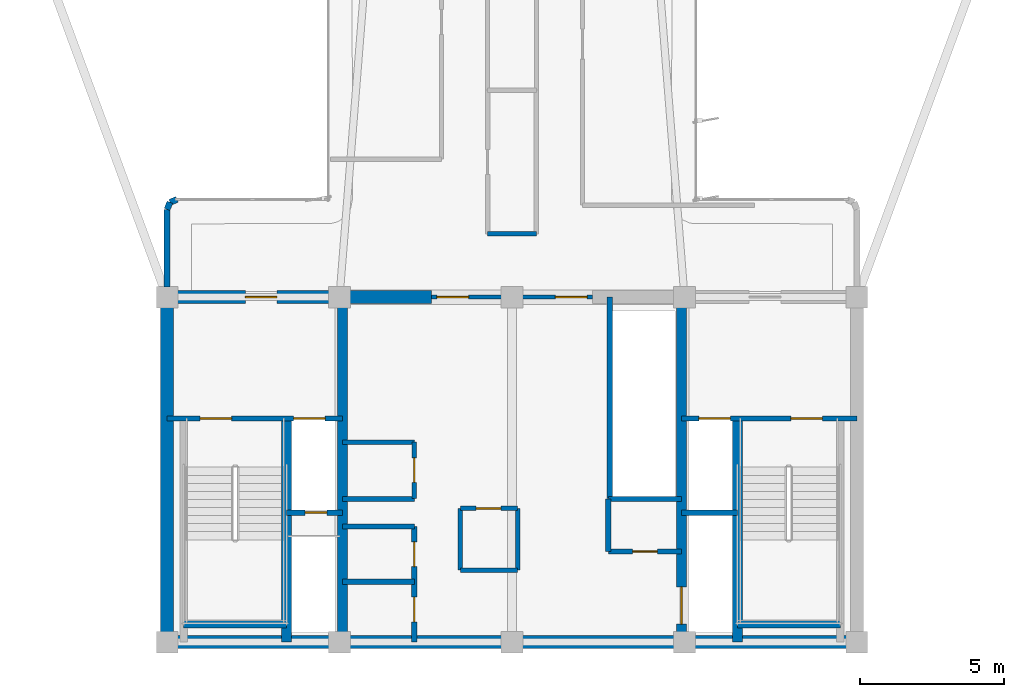
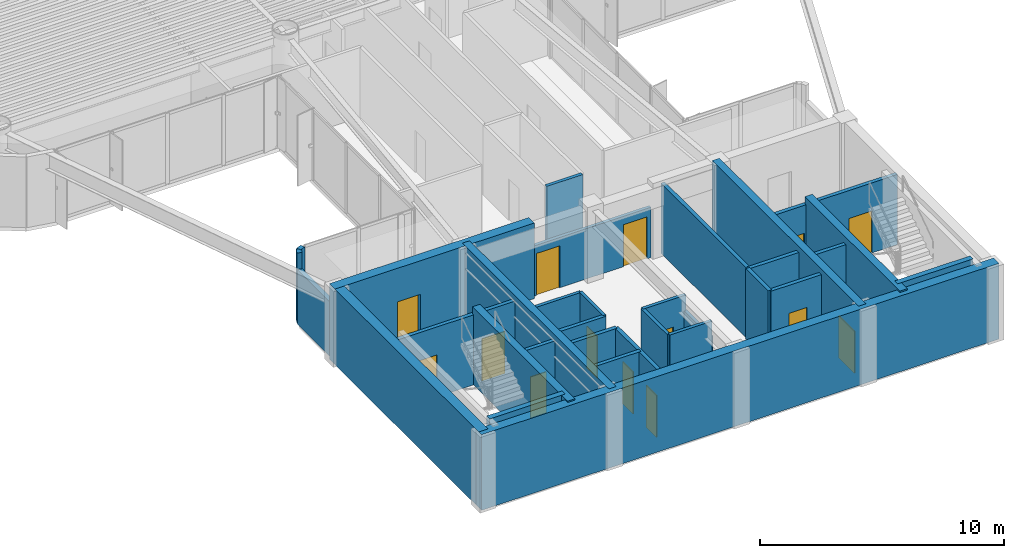
# One storey, part 9 of 15: 32 walls, 14 doors, 14 openings.
"""IFC4 building model written with IfcOpenShell, lengths in metres."""

from ifc_helpers import new_model, si_unit, direction, frame, frame_2d, origin, origin_2d, place, context, subcontext, project, spatial, rectangle, extrude, source, transform, mapped, material, layer, layer_set, type_object, element, fill, save


model = new_model("IFC4")

# Units and contexts
model_context = context("Model", 3, precision=1e-05, world=origin(), true_north=direction((0.0, 1.0)))
body_context = subcontext(model_context, "Body", "Model", "MODEL_VIEW")
ifc_project = project(units=[si_unit("LENGTHUNIT", "METRE"), si_unit("AREAUNIT", "SQUARE_METRE"), si_unit("VOLUMEUNIT", "CUBIC_METRE"), si_unit("PLANEANGLEUNIT", "RADIAN"), si_unit("MASSUNIT", "GRAM", prefix="KILO")], contexts=[model_context])

# Site, building, storey
site_placement = place(None, origin())
site = spatial("IfcSite", under=ifc_project, at=site_placement, CompositionType="ELEMENT")
building_placement = place(site_placement, origin())
building = spatial("IfcBuilding", under=site, at=building_placement, Name="Brelvock Crest Care Tower", CompositionType="ELEMENT")
storey_placement = place(building_placement, frame((0.0, 0.0, 167.760009765625)))
storey = spatial("IfcBuildingStorey", under=building, at=storey_placement, Name="L42", CompositionType="ELEMENT", Elevation=167.760009765625)

# Walls
ifc_material_1 = material(Name="Concrete S65 (65 MPa)", Category="concrete")
ifc_layer_1 = layer(ifc_material_1, 0.449951171875, Name="WL-CS3")
ifc_layer_set_1 = layer_set([ifc_layer_1], Name="Concrete S65 (65 MPa)")
wall_type_1 = type_object("IfcWallType", Name="WL-CS3", PredefinedType="SHEAR", material=ifc_layer_set_1)
wall_1_placement = place(storey_placement, frame((48.22509765625, 6.0, 0.0), z_axis=(0.0, 0.0, 1.0), x_axis=(-1.0, 0.0, 0.0)))
element("IfcWall", 1, at=wall_1_placement, inside=storey, type_object=wall_type_1, Name="L42 Core South Shear Wall", PredefinedType="SHEAR", context=body_context, shape_type="SweptSolid", body=[
    extrude(rectangle(XDim=24.4501953125, YDim=0.449951171875, at=frame_2d((12.22509765625, 0.0))), origin(), (0.0, 0.0, 1.0), 3.780029296875),
])
wall_2_placement = place(storey_placement, frame((24.0, 6.0, 0.0), z_axis=(0.0, 0.0, 1.0), x_axis=(0.0, 1.0, 0.0)))
element("IfcWall", 2, at=wall_2_placement, inside=storey, type_object=wall_type_1, Name="L42 Core West Shear Wall", PredefinedType="SHEAR", context=body_context, shape_type="SweptSolid", body=[
    extrude(rectangle(XDim=12.0, YDim=0.449951171875, at=frame_2d((6.0, 0.0))), origin(), (0.0, 0.0, 1.0), 3.780029296875),
])

# Wall, opening, door
wall_3_placement = place(storey_placement, frame((23.77490234375, 18.0, 0.0), z_axis=(0.0, 0.0, 1.0), x_axis=(1.0, 0.0, 0.0)))
wall_3 = element("IfcWall", 3, at=wall_3_placement, inside=storey, type_object=wall_type_1, Name="L42 Core North-West Shear Wall", PredefinedType="SHEAR", context=body_context, shape_type="SweptSolid", body=[
    extrude(rectangle(XDim=9.425048828125, YDim=0.449951171875, at=frame_2d((4.71240234375, 0.0))), origin(), (0.0, 0.0, 1.0), 3.780029296875),
])
opening_1_placement = place(wall_3_placement, frame((2.949951171875, 0.0, 0.0)))
opening_1 = element("IfcOpeningElement", 4, at=opening_1_placement, cuts=wall_3, Name="Opening FD-1", PredefinedType="OPENING", context=body_context, shape_type="SweptSolid", body=[
    extrude(rectangle(XDim=1.10009765625, YDim=2.10009765625, at=origin_2d()), frame((0.550048828125, 0.23486328125, 1.050048828125), z_axis=(0.0, -1.0, 0.0), x_axis=(1.0, 0.0, 0.0)), (0.0, 0.0, 1.0), 0.469970703125),
])
ifc_material_2 = material(Name="Steel Grade 350", Category="steel")
door_type_1 = type_object("IfcDoorType", Name="DR-FFL1", OperationType="NOTDEFINED", PredefinedType="DOOR", material=ifc_material_2)
shared_shape_1 = source(origin(), body_context, "Body", "SweptSolid", [
    extrude(rectangle(XDim=1.10009765625, YDim=2.10009765625, at=origin_2d()), frame((0.550048828125, 0.02490234375, 1.050048828125), z_axis=(0.0, -1.0, 0.0), x_axis=(1.0, 0.0, 0.0)), (0.0, 0.0, 1.0), 0.050048828125),
])
door_1_placement = place(opening_1_placement, origin())
door_1 = element("IfcDoor", 5, at=door_1_placement, inside=storey, type_object=door_type_1, Name="L42 Firefighting Lobby FFL-1 Exit Door", OperationType="SINGLE_SWING_LEFT", OverallHeight=2.10009765625, OverallWidth=1.10009765625, PredefinedType="DOOR", context=body_context, shape_type="MappedRepresentation", body=[
    mapped(shared_shape_1, transform((0.0, 0.0, 0.0), x_axis=(1.0, 0.0, 0.0), y_axis=(0.0, 1.0, 0.0), z_axis=(0.0, 0.0, 1.0), scale=1.0)),
])
fill(opening_1, door_1)

# Wall
ifc_material_3 = material(Name="Concrete S80 (80 MPa)", Category="concrete")
ifc_layer_2 = layer(ifc_material_3, 0.35009765625, Name="WL-CS5")
ifc_layer_set_2 = layer_set([ifc_layer_2], Name="Concrete S80 (80 MPa)")
wall_type_2 = type_object("IfcWallType", Name="WL-CS5", PredefinedType="SHEAR", material=ifc_layer_set_2)
wall_4_placement = place(storey_placement, frame((30.10009765625, 6.0, 0.0), z_axis=(0.0, 0.0, 1.0), x_axis=(0.0, 1.0, 0.0)))
element("IfcWall", 6, at=wall_4_placement, inside=storey, type_object=wall_type_2, Name="L42 Core Internal Web Wall West", PredefinedType="SHEAR", context=body_context, shape_type="SweptSolid", body=[
    extrude(rectangle(XDim=12.0, YDim=0.35009765625, at=frame_2d((6.0, 0.0))), origin(), (0.0, 0.0, 1.0), 3.780029296875),
])

# Wall, opening, door
wall_5_placement = place(storey_placement, frame((41.89990234375, 18.0, 0.0), z_axis=(0.0, 0.0, 1.0), x_axis=(0.0, -1.0, 0.0)))
wall_5 = element("IfcWall", 7, at=wall_5_placement, inside=storey, type_object=wall_type_2, Name="L42 Core Internal Web Wall East", PredefinedType="SHEAR", context=body_context, shape_type="SweptSolid", body=[
    extrude(rectangle(XDim=12.0, YDim=0.35009765625, at=frame_2d((6.0, 0.0))), origin(), (0.0, 0.0, 1.0), 3.780029296875),
])
opening_2_placement = place(wall_5_placement, frame((10.080078125, 0.0, 0.0)))
opening_2 = element("IfcOpeningElement", 8, at=opening_2_placement, cuts=wall_5, Name="Opening LD-S", PredefinedType="OPENING", context=body_context, shape_type="SweptSolid", body=[
    extrude(rectangle(XDim=1.300048828125, YDim=2.10009765625, at=origin_2d()), frame((0.64990234375, 0.18505859375, 1.050048828125), z_axis=(0.0, -1.0, 0.0), x_axis=(1.0, 0.0, 0.0)), (0.0, 0.0, 1.0), 0.3701171875),
])
door_type_2 = type_object("IfcDoorType", Name="DR-LDS1", OperationType="NOTDEFINED", PredefinedType="DOOR", material=ifc_material_2)
shared_shape_2 = source(origin(), body_context, "Body", "SweptSolid", [
    extrude(rectangle(XDim=1.300048828125, YDim=2.10009765625, at=origin_2d()), frame((0.64990234375, 0.02490234375, 1.050048828125), z_axis=(0.0, -1.0, 0.0), x_axis=(1.0, 0.0, 0.0)), (0.0, 0.0, 1.0), 0.050048828125),
])
door_2_placement = place(opening_2_placement, origin())
door_2 = element("IfcDoor", 9, at=door_2_placement, inside=storey, type_object=door_type_2, Name="L42 Clinical Bed Lift SL-1 Landing Door", OperationType="SLIDING_TO_LEFT", OverallHeight=2.10009765625, OverallWidth=1.300048828125, PredefinedType="DOOR", context=body_context, shape_type="MappedRepresentation", body=[
    mapped(shared_shape_2, transform((0.0, 0.0, 0.0), x_axis=(1.0, 0.0, 0.0), y_axis=(0.0, 1.0, 0.0), z_axis=(0.0, 0.0, 1.0), scale=1.0)),
])
fill(opening_2, door_2)

# Walls
for number, where, z_axis, x_axis, name in (
    (10, (28.14990234375, 6.0, 0.0), (0.0, 0.0, 1.0), (0.0, 1.0, 0.0), "L42 Core Stair ST-1 East Shear Wall"),
    (11, (43.85009765625, 6.0, 0.0), (0.0, 0.0, 1.0), (0.0, 1.0, 0.0), "L42 Core Stair ST-2 West Shear Wall"),
):
    element("IfcWall", number, at=place(storey_placement, frame(where, z_axis=z_axis, x_axis=x_axis)), inside=storey, type_object=wall_type_2, Name=name, PredefinedType="SHEAR", context=body_context, shape_type="SweptSolid", body=[
        extrude(rectangle(XDim=7.780029296875, YDim=0.35009765625, at=frame_2d((3.89013671875, 0.0))), origin(), (0.0, 0.0, 1.0), 3.85009765625),
    ])
ifc_layer_3 = layer(ifc_material_3, 0.25, Name="WL-CS6")
ifc_layer_set_3 = layer_set([ifc_layer_3], Name="Concrete S80 (80 MPa)")
wall_type_3 = type_object("IfcWallType", Name="WL-CS6", PredefinedType="SHEAR", material=ifc_layer_set_3)
for number, where, z_axis, x_axis, name in (
    (12, (24.580078125, 6.6201171875, 0.0), (0.0, 0.0, 1.0), (1.0, 0.0, 0.0), "L42 Core Stair ST-1 South Shear Wall"),
    (13, (43.85009765625, 6.6201171875, 0.0), (0.0, 0.0, 1.0), (1.0, 0.0, 0.0), "L42 Core Stair ST-2 South Shear Wall"),
):
    element("IfcWall", number, at=place(storey_placement, frame(where, z_axis=z_axis, x_axis=x_axis)), inside=storey, type_object=wall_type_3, Name=name, PredefinedType="SHEAR", context=body_context, shape_type="SweptSolid", body=[
        extrude(rectangle(XDim=3.56982421875, YDim=0.25, at=frame_2d((1.784912109375, 0.0))), origin(), (0.0, 0.0, 1.0), 3.85009765625),
    ])
ifc_material_4 = material(Name="Precast concrete N40 (40 MPa)", Category="concrete")
ifc_layer_4 = layer(ifc_material_4, 0.215087890625, Name="WL-EX2")
ifc_layer_set_4 = layer_set([ifc_layer_4], Name="Precast concrete N40 (40 MPa)")
wall_type_4 = type_object("IfcWallType", Name="WL-EX2", PredefinedType="SOLIDWALL", material=ifc_layer_set_4)
wall_6_placement = place(storey_placement, frame((24.0, 18.35498046875, 0.0), z_axis=(0.0, 0.0, 1.0), x_axis=(0.0, 1.0, 0.0)))
element("IfcWall", 14, at=wall_6_placement, inside=storey, type_object=wall_type_4, Name="L42 Rounded Corner Wall 07", PredefinedType="SOLIDWALL", context=body_context, shape_type="SweptSolid", body=[
    extrude(rectangle(XDim=2.695068359375, YDim=0.215087890625, at=frame_2d((1.34765625, 0.0))), origin(), (0.0, 0.0, 1.0), 2.718017578125),
])
wall_7_placement = place(storey_placement, frame((24.0, 21.050048828125, 0.0), z_axis=(0.0, 0.0, 1.0), x_axis=(0.382673670509, 0.923883575944, 0.0)))
element("IfcWall", 15, at=wall_7_placement, inside=storey, type_object=wall_type_4, Name="L42 Rounded Corner Wall 08", PredefinedType="SOLIDWALL", context=body_context, shape_type="SweptSolid", body=[
    extrude(rectangle(XDim=0.26806640625, YDim=0.215087890625, at=frame_2d((0.134033203125, 0.0))), origin(), (0.0, 0.0, 1.0), 3.530029296875),
])
wall_8_placement = place(storey_placement, frame((24.1025390625, 21.297607421875, 0.0), z_axis=(0.0, 0.0, 1.0), x_axis=(0.924205486139, 0.381895560841, 0.0)))
element("IfcWall", 16, at=wall_8_placement, inside=storey, type_object=wall_type_4, Name="L42 Rounded Corner Wall 09", PredefinedType="SOLIDWALL", context=body_context, shape_type="SweptSolid", body=[
    extrude(rectangle(XDim=0.267822265625, YDim=0.215087890625, at=frame_2d((0.1337890625, 0.0))), origin(), (0.0, 0.0, 1.0), 3.530029296875),
])
ifc_material_5 = material(Name="Masonry Blockwork Acoustic Partition", Category="masonry")
ifc_layer_5 = layer(ifc_material_5, 0.14990234375, Name="WL-INT1")
ifc_layer_set_5 = layer_set([ifc_layer_5], Name="Masonry Blockwork Acoustic Partition")
wall_type_5 = type_object("IfcWallType", Name="WL-INT1", PredefinedType="PARTITIONING", material=ifc_layer_set_5)
wall_9_placement = place(storey_placement, frame((30.10009765625, 12.949951171875, 0.0), z_axis=(0.0, 0.0, 1.0), x_axis=(1.0, 0.0, 0.0)))
element("IfcWall", 17, at=wall_9_placement, inside=storey, type_object=wall_type_5, Name="L42 Interior Wall WL-CRCL-N2-L42", PredefinedType="PARTITIONING", context=body_context, shape_type="SweptSolid", body=[
    extrude(rectangle(XDim=2.5, YDim=0.14990234375, at=frame_2d((1.25, 0.0))), origin(), (0.0, 0.0, 1.0), 3.5),
])

# Wall, opening, door
wall_10_placement = place(storey_placement, frame((32.60009765625, 11.0, 0.0), z_axis=(0.0, 0.0, 1.0), x_axis=(0.0, 1.0, 0.0)))
wall_10 = element("IfcWall", 18, at=wall_10_placement, inside=storey, type_object=wall_type_5, Name="L42 Interior Wall WL-CRCL-E-L42", PredefinedType="PARTITIONING", context=body_context, shape_type="SweptSolid", body=[
    extrude(rectangle(XDim=1.949951171875, YDim=0.14990234375, at=frame_2d((0.97509765625, 0.0))), origin(), (0.0, 0.0, 1.0), 3.5),
])
opening_3_placement = place(wall_10_placement, frame((0.550048828125, 0.0, 0.0)))
opening_3 = element("IfcOpeningElement", 19, at=opening_3_placement, cuts=wall_10, Name="Opening ID-1", PredefinedType="OPENING", context=body_context, shape_type="SweptSolid", body=[
    extrude(rectangle(XDim=0.860107421875, YDim=2.10009765625, at=origin_2d()), frame((0.43017578125, 0.0849609375, 1.050048828125), z_axis=(0.0, -1.0, 0.0), x_axis=(1.0, 0.0, 0.0)), (0.0, 0.0, 1.0), 0.169921875),
])
ifc_material_6 = material(Name="Engineered Hardwood Timber", Category="wood")
door_type_3 = type_object("IfcDoorType", Name="DR-INT1", OperationType="NOTDEFINED", PredefinedType="DOOR", material=ifc_material_6)
shared_shape_3 = source(origin(), body_context, "Body", "SweptSolid", [
    extrude(rectangle(XDim=0.860107421875, YDim=2.10009765625, at=origin_2d()), frame((0.43017578125, 0.02490234375, 1.050048828125), z_axis=(0.0, -1.0, 0.0), x_axis=(1.0, 0.0, 0.0)), (0.0, 0.0, 1.0), 0.050048828125),
])
door_3_placement = place(opening_3_placement, origin())
door_3 = element("IfcDoor", 20, at=door_3_placement, inside=storey, type_object=door_type_3, Name="DR-CRCL1-L42", OperationType="SINGLE_SWING_LEFT", OverallHeight=2.10009765625, OverallWidth=0.860107421875, PredefinedType="DOOR", context=body_context, shape_type="MappedRepresentation", body=[
    mapped(shared_shape_3, transform((0.0, 0.0, 0.0), x_axis=(1.0, 0.0, 0.0), y_axis=(0.0, 1.0, 0.0), z_axis=(0.0, 0.0, 1.0), scale=1.0)),
])
fill(opening_3, door_3)

# Walls
wall_11_placement = place(storey_placement, frame((34.199951171875, 8.5, 0.0), z_axis=(0.0, 0.0, 1.0), x_axis=(1.0, 0.0, 0.0)))
element("IfcWall", 21, at=wall_11_placement, inside=storey, type_object=wall_type_5, Name="L42 Interior Wall WL-CRCM-S-L42", PredefinedType="PARTITIONING", context=body_context, shape_type="SweptSolid", body=[
    extrude(rectangle(XDim=2.0, YDim=0.14990234375, at=frame_2d((1.0, 0.0))), origin(), (0.0, 0.0, 1.0), 3.5),
])
wall_12_placement = place(storey_placement, frame((34.199951171875, 8.5, 0.0), z_axis=(0.0, 0.0, 1.0), x_axis=(0.0, 1.0, 0.0)))
element("IfcWall", 22, at=wall_12_placement, inside=storey, type_object=wall_type_5, Name="L42 Interior Wall WL-CRCM-W-L42", PredefinedType="PARTITIONING", context=body_context, shape_type="SweptSolid", body=[
    extrude(rectangle(XDim=2.14990234375, YDim=0.14990234375, at=frame_2d((1.074951171875, 0.0))), origin(), (0.0, 0.0, 1.0), 3.5),
])
wall_13_placement = place(storey_placement, frame((36.199951171875, 8.5, 0.0), z_axis=(0.0, 0.0, 1.0), x_axis=(0.0, 1.0, 0.0)))
element("IfcWall", 23, at=wall_13_placement, inside=storey, type_object=wall_type_5, Name="L42 Interior Wall WL-CRCM-E-L42", PredefinedType="PARTITIONING", context=body_context, shape_type="SweptSolid", body=[
    extrude(rectangle(XDim=2.14990234375, YDim=0.14990234375, at=frame_2d((1.074951171875, 0.0))), origin(), (0.0, 0.0, 1.0), 2.715087890625),
])

# Wall, opening, door
wall_14_placement = place(storey_placement, frame((34.199951171875, 10.64990234375, 0.0), z_axis=(0.0, 0.0, 1.0), x_axis=(1.0, 0.0, 0.0)))
wall_14 = element("IfcWall", 24, at=wall_14_placement, inside=storey, type_object=wall_type_5, Name="L42 Interior Wall WL-CRCM-N-L42", PredefinedType="PARTITIONING", context=body_context, shape_type="SweptSolid", body=[
    extrude(rectangle(XDim=2.0, YDim=0.14990234375, at=frame_2d((1.0, 0.0))), origin(), (0.0, 0.0, 1.0), 3.5),
])
opening_4_placement = place(wall_14_placement, frame((0.550048828125, 0.0, 0.0)))
opening_4 = element("IfcOpeningElement", 25, at=opening_4_placement, cuts=wall_14, Name="Opening ID-1", PredefinedType="OPENING", context=body_context, shape_type="SweptSolid", body=[
    extrude(rectangle(XDim=0.860107421875, YDim=2.10009765625, at=origin_2d()), frame((0.43017578125, 0.0849609375, 1.050048828125), z_axis=(0.0, -1.0, 0.0), x_axis=(1.0, 0.0, 0.0)), (0.0, 0.0, 1.0), 0.169921875),
])
door_4_placement = place(opening_4_placement, origin())
door_4 = element("IfcDoor", 26, at=door_4_placement, inside=storey, type_object=door_type_3, Name="DR-CRCM1-L42", OperationType="SINGLE_SWING_LEFT", OverallHeight=2.10009765625, OverallWidth=0.860107421875, PredefinedType="DOOR", context=body_context, shape_type="MappedRepresentation", body=[
    mapped(shared_shape_3, transform((0.0, 0.0, 0.0), x_axis=(1.0, 0.0, 0.0), y_axis=(0.0, 1.0, 0.0), z_axis=(0.0, 0.0, 1.0), scale=1.0)),
])
fill(opening_4, door_4)

# Wall, openings, doors
wall_15_placement = place(storey_placement, frame((33.199951171875, 18.0, 0.0), z_axis=(0.0, 0.0, 1.0), x_axis=(1.0, 0.0, 0.0)))
wall_15 = element("IfcWall", 27, at=wall_15_placement, inside=storey, type_object=wall_type_5, Name="L42 Interior Wall WL-CORE-NPORT-L42", PredefinedType="PARTITIONING", context=body_context, shape_type="SweptSolid", body=[
    extrude(rectangle(XDim=5.60009765625, YDim=0.14990234375, at=frame_2d((2.800048828125, 0.0))), origin(), (0.0, 0.0, 1.0), 2.514892578125),
])
opening_5_placement = place(wall_15_placement, frame((0.18994140625, 0.0, 0.0)))
opening_5 = element("IfcOpeningElement", 28, at=opening_5_placement, cuts=wall_15, Name="Opening FD-1", PredefinedType="OPENING", context=body_context, shape_type="SweptSolid", body=[
    extrude(rectangle(XDim=1.10009765625, YDim=2.10009765625, at=origin_2d()), frame((0.550048828125, 0.0849609375, 1.050048828125), z_axis=(0.0, -1.0, 0.0), x_axis=(1.0, 0.0, 0.0)), (0.0, 0.0, 1.0), 0.169921875),
])
opening_6_placement = place(wall_15_placement, frame((4.31005859375, 0.0, 0.0)))
opening_6 = element("IfcOpeningElement", 29, at=opening_6_placement, cuts=wall_15, Name="Opening FD-1", PredefinedType="OPENING", context=body_context, shape_type="SweptSolid", body=[
    extrude(rectangle(XDim=1.10009765625, YDim=2.10009765625, at=origin_2d()), frame((0.550048828125, 0.0849609375, 1.050048828125), z_axis=(0.0, -1.0, 0.0), x_axis=(1.0, 0.0, 0.0)), (0.0, 0.0, 1.0), 0.169921875),
])
door_5_placement = place(opening_5_placement, origin())
door_5 = element("IfcDoor", 30, at=door_5_placement, inside=storey, type_object=door_type_1, Name="L42 Lift Lobby North Smoke Door West", OperationType="SINGLE_SWING_LEFT", OverallHeight=2.10009765625, OverallWidth=1.10009765625, PredefinedType="DOOR", context=body_context, shape_type="MappedRepresentation", body=[
    mapped(shared_shape_1, transform((0.0, 0.0, 0.0), x_axis=(1.0, 0.0, 0.0), y_axis=(0.0, 1.0, 0.0), z_axis=(0.0, 0.0, 1.0), scale=1.0)),
])
fill(opening_5, door_5)
door_6_placement = place(opening_6_placement, origin())
door_6 = element("IfcDoor", 31, at=door_6_placement, inside=storey, type_object=door_type_1, Name="L42 Lift Lobby North Smoke Door East", OperationType="SINGLE_SWING_RIGHT", OverallHeight=2.10009765625, OverallWidth=1.10009765625, PredefinedType="DOOR", context=body_context, shape_type="MappedRepresentation", body=[
    mapped(shared_shape_1, transform((0.0, 0.0, 0.0), x_axis=(1.0, 0.0, 0.0), y_axis=(0.0, 1.0, 0.0), z_axis=(0.0, 0.0, 1.0), scale=1.0)),
])
fill(opening_6, door_6)

# Walls
ifc_material_7 = material(Name="Gypsum Plasterboard Partition", Category="gypsum")
ifc_layer_6 = layer(ifc_material_7, 0.159912109375, Name="WL-PLM1")
ifc_layer_set_6 = layer_set([ifc_layer_6], Name="Gypsum Plasterboard Partition")
wall_type_6 = type_object("IfcWallType", Name="WL-PLM1", PredefinedType="PLUMBINGWALL", material=ifc_layer_set_6)
wall_16_placement = place(storey_placement, frame((35.14990234375, 20.199951171875, 0.0), z_axis=(0.0, 0.0, 1.0), x_axis=(1.0, 0.0, 0.0)))
element("IfcWall", 32, at=wall_16_placement, inside=storey, type_object=wall_type_6, Name="L42 Interior Wall WL-BX-L42-ISWC-S", PredefinedType="PLUMBINGWALL", context=body_context, shape_type="SweptSolid", body=[
    extrude(rectangle(XDim=1.7001953125, YDim=0.159912109375, at=frame_2d((0.85009765625, 0.0))), origin(), (0.0, 0.0, 1.0), 3.5),
])
ifc_layer_7 = layer(ifc_material_5, 0.179931640625, Name="WL-SHF1")
ifc_layer_set_7 = layer_set([ifc_layer_7], Name="Masonry Blockwork Acoustic Partition")
wall_type_7 = type_object("IfcWallType", Name="WL-SHF1", PredefinedType="PARTITIONING", material=ifc_layer_set_7)
wall_17_placement = place(storey_placement, frame((39.39990234375, 11.0, 0.0), z_axis=(0.0, 0.0, 1.0), x_axis=(0.0, 1.0, 0.0)))
element("IfcWall", 33, at=wall_17_placement, inside=storey, type_object=wall_type_7, Name="L42 Interior Wall WL-PLH-SHF-L42", PredefinedType="PARTITIONING", context=body_context, shape_type="SweptSolid", body=[
    extrude(rectangle(XDim=7.0, YDim=0.179931640625, at=frame_2d((3.5, 0.0))), origin(), (0.0, 0.0, 1.0), 3.5),
])
wall_18_placement = place(storey_placement, frame((30.10009765625, 10.97998046875, 0.0), z_axis=(0.0, 0.0, 1.0), x_axis=(1.0, 0.0, 0.0)))
element("IfcWall", 34, at=wall_18_placement, inside=storey, type_object=wall_type_7, Name="L42 Interior Wall WL-CSBW-N-L42", PredefinedType="PARTITIONING", context=body_context, shape_type="SweptSolid", body=[
    extrude(rectangle(XDim=2.5, YDim=0.179931640625, at=frame_2d((1.25, 0.0))), origin(), (0.0, 0.0, 1.0), 3.5),
])
wall_19_placement = place(storey_placement, frame((39.35009765625, 10.97998046875, 0.0), z_axis=(0.0, 0.0, 1.0), x_axis=(1.0, 0.0, 0.0)))
element("IfcWall", 35, at=wall_19_placement, inside=storey, type_object=wall_type_7, Name="L42 Interior Wall WL-CSBE-N-L42", PredefinedType="PARTITIONING", context=body_context, shape_type="SweptSolid", body=[
    extrude(rectangle(XDim=2.5498046875, YDim=0.179931640625, at=frame_2d((1.27490234375, 0.0))), origin(), (0.0, 0.0, 1.0), 3.5),
])
for number, where, z_axis, x_axis, name in (
    (36, (30.10009765625, 8.10009765625, 0.0), (0.0, 0.0, 1.0), (1.0, 0.0, 0.0), "L42 Interior Wall WL-CSBW-SP-L42"),
    (37, (30.10009765625, 10.02001953125, 0.0), (0.0, 0.0, 1.0), (1.0, 0.0, 0.0), "L42 Interior Wall WL-CSBW-N2-L42"),
):
    element("IfcWall", number, at=place(storey_placement, frame(where, z_axis=z_axis, x_axis=x_axis)), inside=storey, type_object=wall_type_7, Name=name, PredefinedType="PARTITIONING", context=body_context, shape_type="SweptSolid", body=[
        extrude(rectangle(XDim=2.5, YDim=0.179931640625, at=frame_2d((1.25, 0.0))), origin(), (0.0, 0.0, 1.0), 3.5),
    ])

# Wall, openings, doors
wall_20_placement = place(storey_placement, frame((32.60009765625, 6.0, 0.0), z_axis=(0.0, 0.0, 1.0), x_axis=(0.0, 1.0, 0.0)))
wall_20 = element("IfcWall", 38, at=wall_20_placement, inside=storey, type_object=wall_type_7, Name="L42 Interior Wall WL-CSBW-E-L42", PredefinedType="PARTITIONING", context=body_context, shape_type="SweptSolid", body=[
    extrude(rectangle(XDim=4.02001953125, YDim=0.179931640625, at=frame_2d((2.010009765625, 0.0))), origin(), (0.0, 0.0, 1.0), 3.5),
])
opening_7_placement = place(wall_20_placement, frame((0.699951171875, 0.0, 0.0)))
opening_7 = element("IfcOpeningElement", 39, at=opening_7_placement, cuts=wall_20, Name="Opening ID-1", PredefinedType="OPENING", context=body_context, shape_type="SweptSolid", body=[
    extrude(rectangle(XDim=0.860107421875, YDim=2.10009765625, at=origin_2d()), frame((0.43017578125, 0.10009765625, 1.050048828125), z_axis=(0.0, -1.0, 0.0), x_axis=(1.0, 0.0, 0.0)), (0.0, 0.0, 1.0), 0.199951171875),
])
opening_8_placement = place(wall_20_placement, frame((2.6201171875, 0.0, 0.0)))
opening_8 = element("IfcOpeningElement", 40, at=opening_8_placement, cuts=wall_20, Name="Opening ID-1", PredefinedType="OPENING", context=body_context, shape_type="SweptSolid", body=[
    extrude(rectangle(XDim=0.860107421875, YDim=2.10009765625, at=origin_2d()), frame((0.43017578125, 0.10009765625, 1.050048828125), z_axis=(0.0, -1.0, 0.0), x_axis=(1.0, 0.0, 0.0)), (0.0, 0.0, 1.0), 0.199951171875),
])
door_7_placement = place(opening_7_placement, origin())
door_7 = element("IfcDoor", 41, at=door_7_placement, inside=storey, type_object=door_type_3, Name="DR-CSBW1-L42", OperationType="SINGLE_SWING_LEFT", OverallHeight=2.10009765625, OverallWidth=0.860107421875, PredefinedType="DOOR", context=body_context, shape_type="MappedRepresentation", body=[
    mapped(shared_shape_3, transform((0.0, 0.0, 0.0), x_axis=(1.0, 0.0, 0.0), y_axis=(0.0, 1.0, 0.0), z_axis=(0.0, 0.0, 1.0), scale=1.0)),
])
fill(opening_7, door_7)
door_8_placement = place(opening_8_placement, origin())
door_8 = element("IfcDoor", 42, at=door_8_placement, inside=storey, type_object=door_type_3, Name="DR-CSBW2-L42", OperationType="SINGLE_SWING_RIGHT", OverallHeight=2.10009765625, OverallWidth=0.860107421875, PredefinedType="DOOR", context=body_context, shape_type="MappedRepresentation", body=[
    mapped(shared_shape_3, transform((0.0, 0.0, 0.0), x_axis=(1.0, 0.0, 0.0), y_axis=(0.0, 1.0, 0.0), z_axis=(0.0, 0.0, 1.0), scale=1.0)),
])
fill(opening_8, door_8)

# Wall
wall_21_placement = place(storey_placement, frame((39.35009765625, 9.14990234375, 0.0), z_axis=(0.0, 0.0, 1.0), x_axis=(0.0, 1.0, 0.0)))
element("IfcWall", 43, at=wall_21_placement, inside=storey, type_object=wall_type_7, Name="L42 Interior Wall WL-CSBE-W-L42", PredefinedType="PARTITIONING", context=body_context, shape_type="SweptSolid", body=[
    extrude(rectangle(XDim=1.830078125, YDim=0.179931640625, at=frame_2d((0.9150390625, 0.0))), origin(), (0.0, 0.0, 1.0), 3.5),
])

# Wall, opening, door
wall_22_placement = place(storey_placement, frame((39.35009765625, 9.14990234375, 0.0), z_axis=(0.0, 0.0, 1.0), x_axis=(1.0, 0.0, 0.0)))
wall_22 = element("IfcWall", 44, at=wall_22_placement, inside=storey, type_object=wall_type_7, Name="L42 Interior Wall WL-CSBE-S-L42", PredefinedType="PARTITIONING", context=body_context, shape_type="SweptSolid", body=[
    extrude(rectangle(XDim=2.5498046875, YDim=0.179931640625, at=frame_2d((1.27490234375, 0.0))), origin(), (0.0, 0.0, 1.0), 3.5),
])
opening_9_placement = place(wall_22_placement, frame((0.85009765625, 0.0, 0.0)))
opening_9 = element("IfcOpeningElement", 45, at=opening_9_placement, cuts=wall_22, Name="Opening ID-1", PredefinedType="OPENING", context=body_context, shape_type="SweptSolid", body=[
    extrude(rectangle(XDim=0.860107421875, YDim=2.10009765625, at=origin_2d()), frame((0.43017578125, 0.10009765625, 1.050048828125), z_axis=(0.0, -1.0, 0.0), x_axis=(1.0, 0.0, 0.0)), (0.0, 0.0, 1.0), 0.199951171875),
])
door_9_placement = place(opening_9_placement, origin())
door_9 = element("IfcDoor", 46, at=door_9_placement, inside=storey, type_object=door_type_3, Name="DR-CSBE-L42", OperationType="SINGLE_SWING_LEFT", OverallHeight=2.10009765625, OverallWidth=0.860107421875, PredefinedType="DOOR", context=body_context, shape_type="MappedRepresentation", body=[
    mapped(shared_shape_3, transform((0.0, 0.0, 0.0), x_axis=(1.0, 0.0, 0.0), y_axis=(0.0, 1.0, 0.0), z_axis=(0.0, 0.0, 1.0), scale=1.0)),
])
fill(opening_9, door_9)

# Wall, openings, doors
wall_23_placement = place(storey_placement, frame((24.0, 13.780029296875, 0.0), z_axis=(0.0, 0.0, 1.0), x_axis=(1.0, 0.0, 0.0)))
wall_23 = element("IfcWall", 47, at=wall_23_placement, inside=storey, type_object=wall_type_7, Name="L42 Interior Wall WL-ST1-N-L42", PredefinedType="PARTITIONING", context=body_context, shape_type="SweptSolid", body=[
    extrude(rectangle(XDim=6.10009765625, YDim=0.179931640625, at=frame_2d((3.050048828125, 0.0))), origin(), (0.0, 0.0, 1.0), 3.5),
])
opening_10_placement = place(wall_23_placement, frame((1.14990234375, 0.0, 0.0)))
opening_10 = element("IfcOpeningElement", 48, at=opening_10_placement, cuts=wall_23, Name="Opening SD-1", PredefinedType="OPENING", context=body_context, shape_type="SweptSolid", body=[
    extrude(rectangle(XDim=1.10009765625, YDim=2.10009765625, at=origin_2d()), frame((0.550048828125, 0.10009765625, 1.050048828125), z_axis=(0.0, -1.0, 0.0), x_axis=(1.0, 0.0, 0.0)), (0.0, 0.0, 1.0), 0.199951171875),
])
opening_11_placement = place(wall_23_placement, frame((4.39990234375, 0.0, 0.0)))
opening_11 = element("IfcOpeningElement", 49, at=opening_11_placement, cuts=wall_23, Name="Opening LD", PredefinedType="OPENING", context=body_context, shape_type="SweptSolid", body=[
    extrude(rectangle(XDim=1.10009765625, YDim=2.10009765625, at=origin_2d()), frame((0.550048828125, 0.10009765625, 1.050048828125), z_axis=(0.0, -1.0, 0.0), x_axis=(1.0, 0.0, 0.0)), (0.0, 0.0, 1.0), 0.199951171875),
])
door_type_4 = type_object("IfcDoorType", Name="DR-ST1", OperationType="NOTDEFINED", PredefinedType="DOOR", material=ifc_material_2)
shared_shape_4 = source(origin(), body_context, "Body", "SweptSolid", [
    extrude(rectangle(XDim=1.10009765625, YDim=2.10009765625, at=origin_2d()), frame((0.550048828125, 0.02490234375, 1.050048828125), z_axis=(0.0, -1.0, 0.0), x_axis=(1.0, 0.0, 0.0)), (0.0, 0.0, 1.0), 0.050048828125),
])
door_10_placement = place(opening_10_placement, origin())
door_10 = element("IfcDoor", 50, at=door_10_placement, inside=storey, type_object=door_type_4, Name="L42 Fire Stair ST-1 Door", OperationType="SINGLE_SWING_LEFT", OverallHeight=2.10009765625, OverallWidth=1.10009765625, PredefinedType="DOOR", context=body_context, shape_type="MappedRepresentation", body=[
    mapped(shared_shape_4, transform((0.0, 0.0, 0.0), x_axis=(1.0, 0.0, 0.0), y_axis=(0.0, 1.0, 0.0), z_axis=(0.0, 0.0, 1.0), scale=1.0)),
])
fill(opening_10, door_10)
door_type_5 = type_object("IfcDoorType", Name="DR-LD1", OperationType="NOTDEFINED", PredefinedType="DOOR", material=ifc_material_2)
shared_shape_5 = source(origin(), body_context, "Body", "SweptSolid", [
    extrude(rectangle(XDim=1.10009765625, YDim=2.10009765625, at=origin_2d()), frame((0.550048828125, 0.02490234375, 1.050048828125), z_axis=(0.0, -1.0, 0.0), x_axis=(1.0, 0.0, 0.0)), (0.0, 0.0, 1.0), 0.050048828125),
])
door_11_placement = place(opening_11_placement, origin())
door_11 = element("IfcDoor", 51, at=door_11_placement, inside=storey, type_object=door_type_5, Name="L42 Firefighting Lift FFL-1 Landing Door", OperationType="SLIDING_TO_LEFT", OverallHeight=2.10009765625, OverallWidth=1.10009765625, PredefinedType="DOOR", context=body_context, shape_type="MappedRepresentation", body=[
    mapped(shared_shape_5, transform((0.0, 0.0, 0.0), x_axis=(1.0, 0.0, 0.0), y_axis=(0.0, 1.0, 0.0), z_axis=(0.0, 0.0, 1.0), scale=1.0)),
])
fill(opening_11, door_11)

# Wall, opening, door
wall_24_placement = place(storey_placement, frame((28.14990234375, 10.5, 0.0), z_axis=(0.0, 0.0, 1.0), x_axis=(1.0, 0.0, 0.0)))
wall_24 = element("IfcWall", 52, at=wall_24_placement, inside=storey, type_object=wall_type_7, Name="L42 Interior Wall WL-FFH1-S-L42", PredefinedType="PARTITIONING", context=body_context, shape_type="SweptSolid", body=[
    extrude(rectangle(XDim=1.9501953125, YDim=0.179931640625, at=frame_2d((0.97509765625, 0.0))), origin(), (0.0, 0.0, 1.0), 3.5),
])
opening_12_placement = place(wall_24_placement, frame((0.64990234375, 0.0, 0.0)))
opening_12 = element("IfcOpeningElement", 53, at=opening_12_placement, cuts=wall_24, Name="Opening RD-1", PredefinedType="OPENING", context=body_context, shape_type="SweptSolid", body=[
    extrude(rectangle(XDim=0.760009765625, YDim=2.050048828125, at=origin_2d()), frame((0.3798828125, 0.10009765625, 1.02490234375), z_axis=(0.0, -1.0, 0.0), x_axis=(1.0, 0.0, 0.0)), (0.0, 0.0, 1.0), 0.199951171875),
])
door_type_6 = type_object("IfcDoorType", Name="DR-RIS1", OperationType="NOTDEFINED", PredefinedType="DOOR", material=ifc_material_2)
shared_shape_6 = source(origin(), body_context, "Body", "SweptSolid", [
    extrude(rectangle(XDim=0.760009765625, YDim=2.050048828125, at=origin_2d()), frame((0.3798828125, 0.02490234375, 1.02490234375), z_axis=(0.0, -1.0, 0.0), x_axis=(1.0, 0.0, 0.0)), (0.0, 0.0, 1.0), 0.050048828125),
])
door_12_placement = place(opening_12_placement, origin())
door_12 = element("IfcDoor", 54, at=door_12_placement, inside=storey, type_object=door_type_6, Name="L42 Wet Fire Riser Access Door", OperationType="SINGLE_SWING_LEFT", OverallHeight=2.050048828125, OverallWidth=0.760009765625, PredefinedType="DOOR", context=body_context, shape_type="MappedRepresentation", body=[
    mapped(shared_shape_6, transform((0.0, 0.0, 0.0), x_axis=(1.0, 0.0, 0.0), y_axis=(0.0, 1.0, 0.0), z_axis=(0.0, 0.0, 1.0), scale=1.0)),
])
fill(opening_12, door_12)

# Wall, openings, doors
wall_25_placement = place(storey_placement, frame((41.89990234375, 13.780029296875, 0.0), z_axis=(0.0, 0.0, 1.0), x_axis=(1.0, 0.0, 0.0)))
wall_25 = element("IfcWall", 55, at=wall_25_placement, inside=storey, type_object=wall_type_7, Name="L42 Interior Wall WL-ST2-N-L42", PredefinedType="PARTITIONING", context=body_context, shape_type="SweptSolid", body=[
    extrude(rectangle(XDim=6.10009765625, YDim=0.179931640625, at=frame_2d((3.050048828125, 0.0))), origin(), (0.0, 0.0, 1.0), 3.5),
])
opening_13_placement = place(wall_25_placement, frame((0.60009765625, 0.0, 0.0)))
opening_13 = element("IfcOpeningElement", 56, at=opening_13_placement, cuts=wall_25, Name="Opening LD", PredefinedType="OPENING", context=body_context, shape_type="SweptSolid", body=[
    extrude(rectangle(XDim=1.10009765625, YDim=2.10009765625, at=origin_2d()), frame((0.550048828125, 0.10009765625, 1.050048828125), z_axis=(0.0, -1.0, 0.0), x_axis=(1.0, 0.0, 0.0)), (0.0, 0.0, 1.0), 0.199951171875),
])
opening_14_placement = place(wall_25_placement, frame((3.800048828125, 0.0, 0.0)))
opening_14 = element("IfcOpeningElement", 57, at=opening_14_placement, cuts=wall_25, Name="Opening SD-1", PredefinedType="OPENING", context=body_context, shape_type="SweptSolid", body=[
    extrude(rectangle(XDim=1.10009765625, YDim=2.10009765625, at=origin_2d()), frame((0.550048828125, 0.10009765625, 1.050048828125), z_axis=(0.0, -1.0, 0.0), x_axis=(1.0, 0.0, 0.0)), (0.0, 0.0, 1.0), 0.199951171875),
])
door_13_placement = place(opening_14_placement, origin())
door_13 = element("IfcDoor", 58, at=door_13_placement, inside=storey, type_object=door_type_4, Name="L42 Fire Stair ST-2 Door", OperationType="SINGLE_SWING_RIGHT", OverallHeight=2.10009765625, OverallWidth=1.10009765625, PredefinedType="DOOR", context=body_context, shape_type="MappedRepresentation", body=[
    mapped(shared_shape_4, transform((0.0, 0.0, 0.0), x_axis=(1.0, 0.0, 0.0), y_axis=(0.0, 1.0, 0.0), z_axis=(0.0, 0.0, 1.0), scale=1.0)),
])
fill(opening_14, door_13)
door_14_placement = place(opening_13_placement, origin())
door_14 = element("IfcDoor", 59, at=door_14_placement, inside=storey, type_object=door_type_5, Name="L42 Firefighting Lift FFL-2 Landing Door", OperationType="SLIDING_TO_RIGHT", OverallHeight=2.10009765625, OverallWidth=1.10009765625, PredefinedType="DOOR", context=body_context, shape_type="MappedRepresentation", body=[
    mapped(shared_shape_5, transform((0.0, 0.0, 0.0), x_axis=(1.0, 0.0, 0.0), y_axis=(0.0, 1.0, 0.0), z_axis=(0.0, 0.0, 1.0), scale=1.0)),
])
fill(opening_13, door_14)

# Wall
wall_26_placement = place(storey_placement, frame((41.89990234375, 10.5, 0.0), z_axis=(0.0, 0.0, 1.0), x_axis=(1.0, 0.0, 0.0)))
element("IfcWall", 60, at=wall_26_placement, inside=storey, type_object=wall_type_7, Name="L42 Interior Wall WL-FFH2-S-L42", PredefinedType="PARTITIONING", context=body_context, shape_type="SweptSolid", body=[
    extrude(rectangle(XDim=1.9501953125, YDim=0.179931640625, at=frame_2d((0.97509765625, 0.0))), origin(), (0.0, 0.0, 1.0), 3.5),
])

save(model, "model.ifc")
